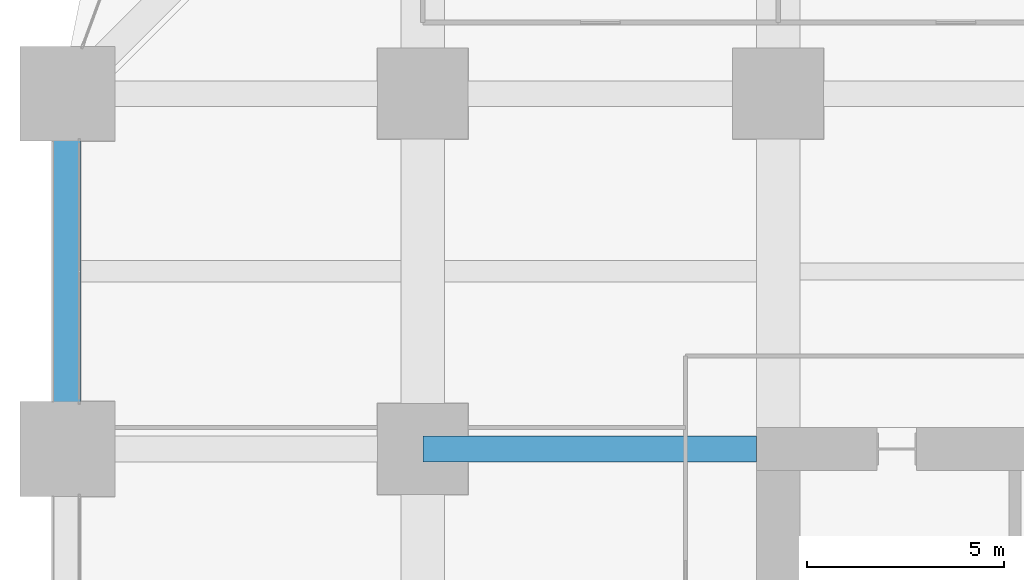
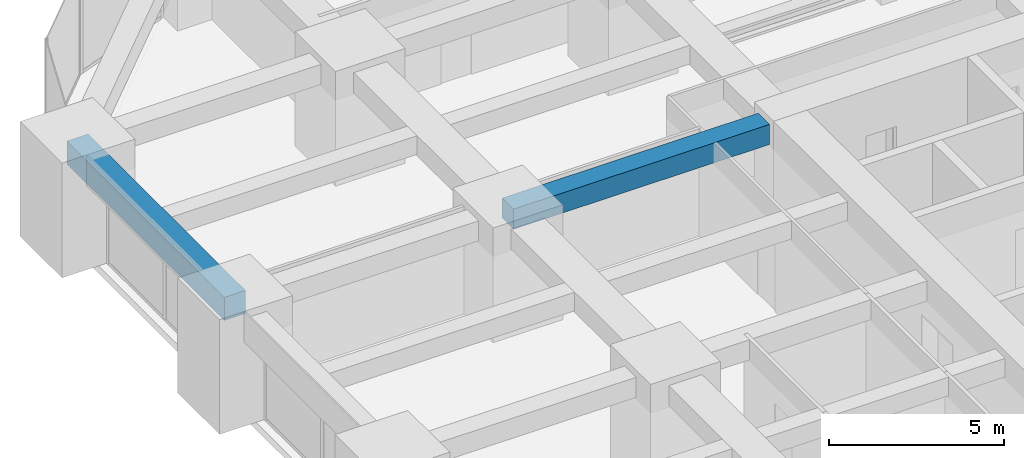
# One storey, part 24 of 45: 2 beams.
"""IFC4 building model written with IfcOpenShell, lengths in metres."""

from ifc_helpers import new_model, si_unit, direction, frame, origin, origin_2d, place, context, subcontext, project, spatial, rectangle, extrude, material, material_profile, profile_set, type_object, element, save


model = new_model("IFC4")

# Units and contexts
model_context = context("Model", 3, precision=1e-05, world=origin(), true_north=direction((0.0, 1.0)))
body_context = subcontext(model_context, "Body", "Model", "MODEL_VIEW")
ifc_project = project(units=[si_unit("LENGTHUNIT", "METRE"), si_unit("AREAUNIT", "SQUARE_METRE"), si_unit("VOLUMEUNIT", "CUBIC_METRE"), si_unit("PLANEANGLEUNIT", "RADIAN"), si_unit("MASSUNIT", "GRAM", prefix="KILO")], contexts=[model_context])

# Site, building, storey
site_placement = place(None, origin())
site = spatial("IfcSite", under=ifc_project, at=site_placement, CompositionType="ELEMENT")
building_placement = place(site_placement, origin())
building = spatial("IfcBuilding", under=site, at=building_placement, Name="Zorevar Civic Tower", CompositionType="ELEMENT")
storey_placement = place(building_placement, frame((0.0, 0.0, 23.800048828125)))
storey = spatial("IfcBuildingStorey", under=building, at=storey_placement, Name="L05", CompositionType="ELEMENT", Elevation=23.800048828125)

# Beams
ifc_material_1 = material(Name="Concrete C50/60", Category="concrete")
ifc_material_profile_1 = material_profile(ifc_material_1, rectangle(XDim=0.64990234375, YDim=0.699951171875, at=origin_2d()), Name="RC 650x700")
ifc_profile_set_1 = profile_set([ifc_material_profile_1], Name="Concrete C50/60")
beam_type_1 = type_object("IfcBeamType", Name="Beam RC 650x700", PredefinedType="BEAM", material=ifc_profile_set_1)
beam_1_placement = place(storey_placement, frame((9.0, 36.0, 3.39990234375), z_axis=(1.0, 0.0, 0.0), x_axis=(0.0, 1.0, 0.0)))
element("IfcBeam", 1, at=beam_1_placement, inside=storey, type_object=beam_type_1, Name="Girder L06", PredefinedType="BEAM", context=body_context, shape_type="SweptSolid", body=[
    extrude(rectangle(XDim=0.64990234375, YDim=0.699951171875, at=origin_2d()), origin(), (0.0, 0.0, 1.0), 8.449951171875),
])
ifc_material_2 = material(Name="Concrete C50/60", Category="concrete")
ifc_material_profile_2 = material_profile(ifc_material_2, rectangle(XDim=0.699951171875, YDim=0.800048828125, at=origin_2d()), Name="RC 700x800")
ifc_profile_set_2 = profile_set([ifc_material_profile_2], Name="Concrete C50/60")
beam_type_2 = type_object("IfcBeamType", Name="Edge beam RC 700x800", PredefinedType="SPANDREL", material=ifc_profile_set_2)
beam_2_placement = place(storey_placement, frame((0.0, 36.0, 3.349853515625), z_axis=(0.0, 1.0, 0.0), x_axis=(-1.0, 0.0, 0.0)))
element("IfcBeam", 2, at=beam_2_placement, inside=storey, type_object=beam_type_2, Name="Edge beam L06", PredefinedType="SPANDREL", context=body_context, shape_type="SweptSolid", body=[
    extrude(rectangle(XDim=0.699951171875, YDim=0.800048828125, at=origin_2d()), origin(), (0.0, 0.0, 1.0), 9.0),
])

save(model, "model.ifc")
